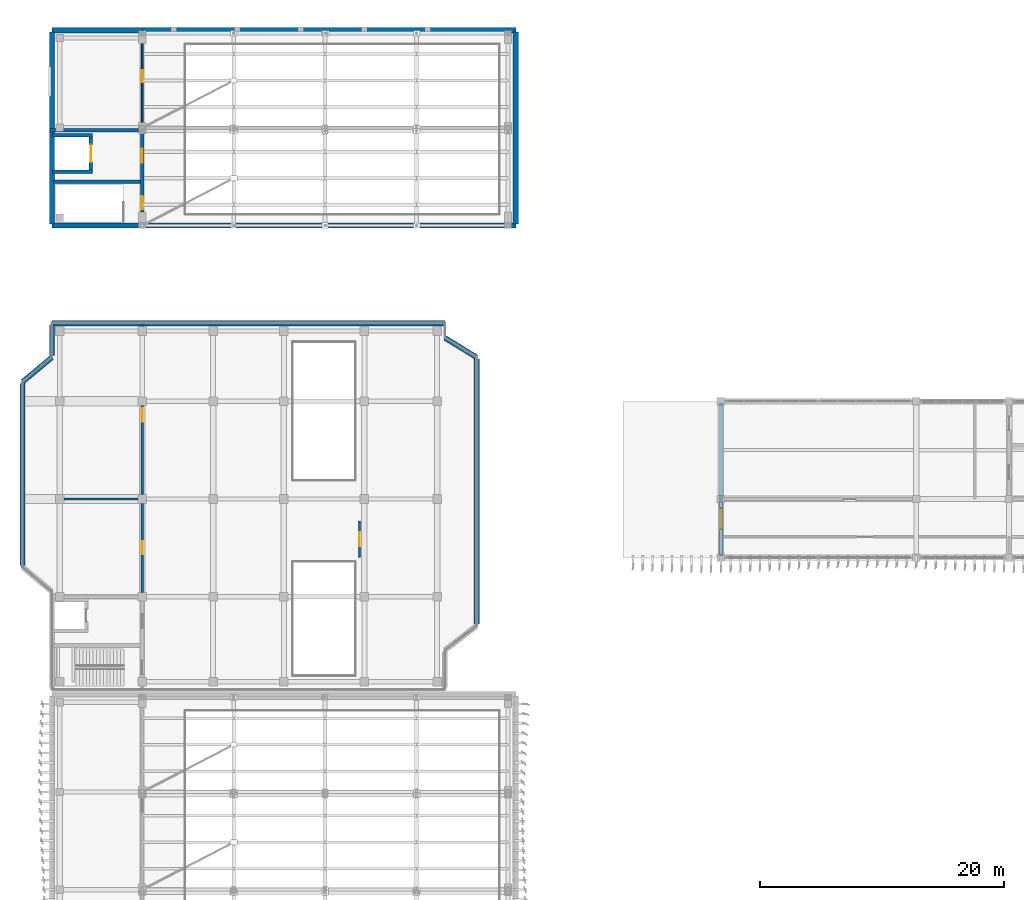
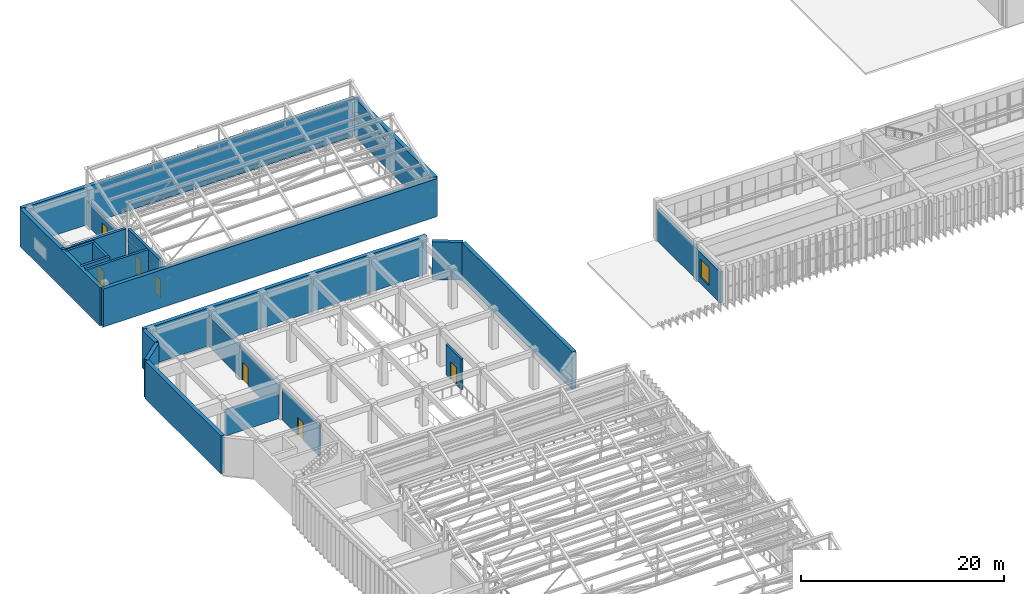
# One storey, part 53 of 76: 22 walls, 7 doors, 1 window, 8 openings.
"""IFC4 building model written with IfcOpenShell, lengths in metres."""

from ifc_helpers import new_model, si_unit, direction, frame, frame_2d, origin, place, context, subcontext, project, spatial, rectangle, extrude, material, layer, layer_set, type_object, element, fill, save


model = new_model("IFC4")

# Units and contexts
model_context = context("Model", 3, precision=1e-05, world=origin(), true_north=direction((0.0, 1.0)))
body_context = subcontext(model_context, "Body", "Model", "MODEL_VIEW")
ifc_project = project(units=[si_unit("LENGTHUNIT", "METRE"), si_unit("AREAUNIT", "SQUARE_METRE"), si_unit("VOLUMEUNIT", "CUBIC_METRE"), si_unit("PLANEANGLEUNIT", "RADIAN"), si_unit("MASSUNIT", "GRAM", prefix="KILO")], contexts=[model_context])

# Site, building, storey
site_placement = place(None, origin())
site = spatial("IfcSite", under=ifc_project, at=site_placement, CompositionType="ELEMENT")
building_placement = place(site_placement, origin())
building = spatial("IfcBuilding", under=site, at=building_placement, Name="Cinchona Park Media Centre", CompositionType="ELEMENT")
storey_placement = place(building_placement, frame((0.0, 0.0, 15.60009765625)))
storey = spatial("IfcBuildingStorey", under=building, at=storey_placement, Name="L03", CompositionType="ELEMENT", Elevation=15.60009765625)

# Walls
ifc_material_1 = material(Name="Precast concrete C40/50", Category="concrete")
ifc_layer_1 = layer(ifc_material_1, 0.425048828125)
ifc_layer_set_1 = layer_set([ifc_layer_1], Name="Precast concrete C40/50")
wall_type_1 = type_object("IfcWallType", Name="WALL-W-AC01", PredefinedType="SOLIDWALL", material=ifc_layer_set_1)
wall_1_placement = place(storey_placement, frame((8.0, 118.0, 0.0), z_axis=(0.0, 0.0, 1.0), x_axis=(1.0, 0.0, 0.0)))
element("IfcWall", 1, at=wall_1_placement, inside=storey, type_object=wall_type_1, Name="Exterior Wall W-AC01 V2 L03", PredefinedType="SOLIDWALL", context=body_context, shape_type="SweptSolid", body=[
    extrude(rectangle(XDim=38.0, YDim=0.425048828125, at=frame_2d((19.0, 0.0))), origin(), (0.0, 0.0, 1.0), 4.554931640625),
])
wall_2_placement = place(storey_placement, frame((46.0, 117.860107421875, 0.0), z_axis=(0.0, 0.0, 1.0), x_axis=(0.0, -1.0, 0.0)))
element("IfcWall", 2, at=wall_2_placement, inside=storey, type_object=wall_type_1, Name="Exterior Wall W-AC01 V2 L03", PredefinedType="SOLIDWALL", context=body_context, shape_type="SweptSolid", body=[
    extrude(rectangle(XDim=15.72021484375, YDim=0.425048828125, at=frame_2d((7.860107421875, 0.0))), origin(), (0.0, 0.0, 1.0), 4.554931640625),
])
wall_3_placement = place(storey_placement, frame((46.0, 102.0, 0.0), z_axis=(0.0, 0.0, 1.0), x_axis=(-1.0, 0.0, 0.0)))
element("IfcWall", 3, at=wall_3_placement, inside=storey, type_object=wall_type_1, Name="Exterior Wall W-AC01 V2 L03", PredefinedType="SOLIDWALL", context=body_context, shape_type="SweptSolid", body=[
    extrude(rectangle(XDim=38.0, YDim=0.425048828125, at=frame_2d((19.0, 0.0))), origin(), (0.0, 0.0, 1.0), 4.554931640625),
])
wall_4_placement = place(storey_placement, frame((8.0, 102.139892578125, 0.0), z_axis=(0.0, 0.0, 1.0), x_axis=(0.0, 1.0, 0.0)))
element("IfcWall", 4, at=wall_4_placement, inside=storey, type_object=wall_type_1, Name="Exterior Wall W-AC01 V2 L03", PredefinedType="SOLIDWALL", context=body_context, shape_type="SweptSolid", body=[
    extrude(rectangle(XDim=15.72021484375, YDim=0.425048828125, at=frame_2d((7.860107421875, 0.0))), origin(), (0.0, 0.0, 1.0), 4.554931640625),
])
wall_5_placement = place(storey_placement, frame((5.60009765625, 74.139892578125, 0.0), z_axis=(0.0, 0.0, 1.0), x_axis=(0.0, 1.0, 0.0)))
element("IfcWall", 5, at=wall_5_placement, inside=storey, type_object=wall_type_1, Name="Exterior Wall W-AC01 V4 L03", PredefinedType="SOLIDWALL", context=body_context, shape_type="SweptSolid", body=[
    extrude(rectangle(XDim=14.920166015625, YDim=0.425048828125, at=frame_2d((7.4599609375, 0.0))), origin(), (0.0, 0.0, 1.0), 4.5498046875),
])
wall_6_placement = place(storey_placement, frame((5.60009765625, 89.199951171875, 0.0), z_axis=(0.0, 0.0, 1.0), x_axis=(0.768208468069, 0.640199773186, 0.0)))
element("IfcWall", 6, at=wall_6_placement, inside=storey, type_object=wall_type_1, Name="Exterior Wall W-AC01 V4 L03", PredefinedType="SOLIDWALL", context=body_context, shape_type="SweptSolid", body=[
    extrude(rectangle(XDim=3.1240234375, YDim=0.425048828125, at=frame_2d((1.56201171875, 0.0))), origin(), (0.0, 0.0, 1.0), 4.5498046875),
])
wall_7_placement = place(storey_placement, frame((8.0, 91.340087890625, 0.0), z_axis=(0.0, 0.0, 1.0), x_axis=(0.0, 1.0, 0.0)))
element("IfcWall", 7, at=wall_7_placement, inside=storey, type_object=wall_type_1, Name="Exterior Wall W-AC01 V4 L03", PredefinedType="SOLIDWALL", context=body_context, shape_type="SweptSolid", body=[
    extrude(rectangle(XDim=2.52001953125, YDim=0.425048828125, at=frame_2d((1.260009765625, 0.0))), origin(), (0.0, 0.0, 1.0), 4.5498046875),
])
wall_8_placement = place(storey_placement, frame((8.0, 94.0, 0.0), z_axis=(0.0, 0.0, 1.0), x_axis=(1.0, 0.0, 0.0)))
element("IfcWall", 8, at=wall_8_placement, inside=storey, type_object=wall_type_1, Name="Exterior Wall W-AC01 V4 L03", PredefinedType="SOLIDWALL", context=body_context, shape_type="SweptSolid", body=[
    extrude(rectangle(XDim=32.199951171875, YDim=0.425048828125, at=frame_2d((16.10009765625, 0.0))), origin(), (0.0, 0.0, 1.0), 4.5498046875),
])
wall_9_placement = place(storey_placement, frame((40.199951171875, 92.800048828125, 0.0), z_axis=(0.0, 0.0, 1.0), x_axis=(0.851652825334, -0.524106349037, 0.0)))
element("IfcWall", 9, at=wall_9_placement, inside=storey, type_object=wall_type_1, Name="Exterior Wall W-AC01 V4 L03", PredefinedType="SOLIDWALL", context=body_context, shape_type="SweptSolid", body=[
    extrude(rectangle(XDim=3.052978515625, YDim=0.425048828125, at=frame_2d((1.5263671875, 0.0))), origin(), (0.0, 0.0, 1.0), 4.5498046875),
])
wall_10_placement = place(storey_placement, frame((42.800048828125, 91.06005859375, 0.0), z_axis=(0.0, 0.0, 1.0), x_axis=(0.0, -1.0, 0.0)))
element("IfcWall", 10, at=wall_10_placement, inside=storey, type_object=wall_type_1, Name="Exterior Wall W-AC01 V4 L03", PredefinedType="SOLIDWALL", context=body_context, shape_type="SweptSolid", body=[
    extrude(rectangle(XDim=21.719970703125, YDim=0.425048828125, at=frame_2d((10.85986328125, 0.0))), origin(), (0.0, 0.0, 1.0), 4.5498046875),
])

# Wall, opening, door
ifc_material_2 = material(Name="Acoustic Double-Stud Gypsum Partition", Category="gypsum")
ifc_layer_2 = layer(ifc_material_2, 0.2099609375)
ifc_layer_set_2 = layer_set([ifc_layer_2], Name="Acoustic Double-Stud Gypsum Partition")
wall_type_2 = type_object("IfcWallType", Name="WALL-W-AC210", PredefinedType="PARTITIONING", material=ifc_layer_set_2)
wall_11_placement = place(storey_placement, frame((15.39990234375, 79.951904296875, 0.0), z_axis=(0.0, 0.0, 1.0), x_axis=(0.0, 1.0, 0.0)))
wall_11 = element("IfcWall", 11, at=wall_11_placement, inside=storey, type_object=wall_type_2, Name="Interior Wall W-AC210 L03", PredefinedType="PARTITIONING", context=body_context, shape_type="SweptSolid", body=[
    extrude(rectangle(XDim=14.048095703125, YDim=0.2099609375, at=frame_2d((7.02392578125, 0.0))), origin(), (0.0, 0.0, 1.0), 3.699951171875),
])
opening_1_placement = place(wall_11_placement, frame((5.97998046875, 0.0, 0.0)))
opening_1 = element("IfcOpeningElement", 12, at=opening_1_placement, cuts=wall_11, Name="Opening D310", PredefinedType="OPENING", context=body_context, shape_type="SweptSolid", body=[
    extrude(rectangle(XDim=1.1201171875, YDim=2.14990234375, at=frame_2d((0.56005859375, 1.074951171875))), frame((0.0, 0.114990234375, 0.0), z_axis=(0.0, -1.0, 0.0), x_axis=(1.0, 0.0, 0.0)), (0.0, 0.0, 1.0), 0.22998046875),
])
ifc_material_3 = material(Name="Fire-Rated Acoustic Timber-Steel Door", Category="steel")
door_type_1 = type_object("IfcDoorType", Name="DOOR-DT08", OperationType="NOTDEFINED", PredefinedType="DOOR", material=ifc_material_3)
door_1_placement = place(opening_1_placement, origin())
door_1 = element("IfcDoor", 13, at=door_1_placement, inside=storey, type_object=door_type_1, Name="Interior Door D310", OperationType="SINGLE_SWING_RIGHT", OverallHeight=2.14990234375, OverallWidth=1.1201171875, PredefinedType="DOOR", context=body_context, shape_type="SweptSolid", body=[
    extrude(rectangle(XDim=1.1201171875, YDim=2.14990234375, at=frame_2d((0.56005859375, 1.074951171875))), frame((0.0, 0.02490234375, 0.0), z_axis=(0.0, -1.0, 0.0), x_axis=(1.0, 0.0, 0.0)), (0.0, 0.0, 1.0), 0.050048828125),
])
fill(opening_1, door_1)

ifc_material_4 = material(Name="Acoustic Double-Stud Gypsum Partition", Category="gypsum")
ifc_layer_3 = layer(ifc_material_4, 0.239990234375)
ifc_layer_set_3 = layer_set([ifc_layer_3], Name="Acoustic Double-Stud Gypsum Partition")
wall_type_3 = type_object("IfcWallType", Name="WALL-W-AC240", PredefinedType="PARTITIONING", material=ifc_layer_set_3)
wall_12_placement = place(storey_placement, frame((15.39990234375, 71.951904296875, 0.0), z_axis=(0.0, 0.0, 1.0), x_axis=(0.0, 1.0, 0.0)))
wall_12 = element("IfcWall", 14, at=wall_12_placement, inside=storey, type_object=wall_type_3, Name="Interior Wall W-AC240 L03", PredefinedType="PARTITIONING", context=body_context, shape_type="SweptSolid", body=[
    extrude(rectangle(XDim=7.296142578125, YDim=0.239990234375, at=frame_2d((3.64794921875, 0.0))), origin(), (0.0, 0.0, 1.0), 3.699951171875),
])
opening_2_placement = place(wall_12_placement, frame((3.10791015625, 0.0, 0.0)))
opening_2 = element("IfcOpeningElement", 15, at=opening_2_placement, cuts=wall_12, Name="Opening D309", PredefinedType="OPENING", context=body_context, shape_type="SweptSolid", body=[
    extrude(rectangle(XDim=1.080078125, YDim=2.14990234375, at=frame_2d((0.5400390625, 1.074951171875))), frame((0.0, 0.1298828125, 0.0), z_axis=(0.0, -1.0, 0.0), x_axis=(1.0, 0.0, 0.0)), (0.0, 0.0, 1.0), 0.260009765625),
])
ifc_material_5 = material(Name="Fire-Rated Acoustic Timber-Steel Door", Category="steel")
door_type_2 = type_object("IfcDoorType", Name="DOOR-DT07", OperationType="NOTDEFINED", PredefinedType="DOOR", material=ifc_material_5)
door_2_placement = place(opening_2_placement, origin())
door_2 = element("IfcDoor", 16, at=door_2_placement, inside=storey, type_object=door_type_2, Name="Interior Door D309", OperationType="SINGLE_SWING_LEFT", OverallHeight=2.14990234375, OverallWidth=1.080078125, PredefinedType="DOOR", context=body_context, shape_type="SweptSolid", body=[
    extrude(rectangle(XDim=1.080078125, YDim=2.14990234375, at=frame_2d((0.5400390625, 1.074951171875))), frame((0.0, 0.02490234375, 0.0), z_axis=(0.0, -1.0, 0.0), x_axis=(1.0, 0.0, 0.0)), (0.0, 0.0, 1.0), 0.050048828125),
])
fill(opening_2, door_2)

# Wall, opening, window
ifc_material_6 = material(Name="Precast concrete C40/50", Category="concrete")
ifc_layer_4 = layer(ifc_material_6, 0.320068359375)
ifc_layer_set_4 = layer_set([ifc_layer_4], Name="Precast concrete C40/50")
wall_type_4 = type_object("IfcWallType", Name="WALL-W-EX02", PredefinedType="SOLIDWALL", material=ifc_layer_set_4)
wall_13_placement = place(storey_placement, frame((62.800048828125, 74.93994140625, 0.0), z_axis=(0.0, 0.0, 1.0), x_axis=(0.0, 1.0, 0.0)))
wall_13 = element("IfcWall", 17, at=wall_13_placement, inside=storey, type_object=wall_type_4, Name="Exterior Wall W-EX02 V5 L03", PredefinedType="SOLIDWALL", context=body_context, shape_type="SweptSolid", body=[
    extrude(rectangle(XDim=12.52001953125, YDim=0.320068359375, at=frame_2d((6.260009765625, 0.0))), origin(), (0.0, 0.0, 1.0), 3.72998046875),
])
opening_3_placement = place(wall_13_placement, frame((2.199951171875, 0.0, 0.800048828125)))
opening_3 = element("IfcOpeningElement", 18, at=opening_3_placement, cuts=wall_13, Name="Opening WN04", PredefinedType="OPENING", context=body_context, shape_type="SweptSolid", body=[
    extrude(rectangle(XDim=1.699951171875, YDim=2.14990234375, at=frame_2d((0.85009765625, 1.074951171875))), frame((0.0, 0.169921875, 0.0), z_axis=(0.0, -1.0, 0.0), x_axis=(1.0, 0.0, 0.0)), (0.0, 0.0, 1.0), 0.340087890625),
])
ifc_material_7 = material(Name="Thermally Broken Aluminium Solar-Control Window", Category="aluminium")
window_type = type_object("IfcWindowType", Name="WIN-WN04", PartitioningType="SINGLE_PANEL", PredefinedType="WINDOW", material=ifc_material_7)
window_placement = place(opening_3_placement, origin())
window = element("IfcWindow", 19, at=window_placement, inside=storey, type_object=window_type, Name="Window WN04 L03", OverallHeight=2.14990234375, OverallWidth=1.699951171875, PartitioningType="SINGLE_PANEL", PredefinedType="WINDOW", context=body_context, shape_type="SweptSolid", body=[
    extrude(rectangle(XDim=1.699951171875, YDim=2.14990234375, at=frame_2d((0.85009765625, 1.074951171875))), frame((0.0, 0.030029296875, 0.0), z_axis=(0.0, -1.0, 0.0), x_axis=(1.0, 0.0, 0.0)), (0.0, 0.0, 1.0), 0.06005859375),
])
fill(opening_3, window)

# Wall, opening, door
ifc_material_8 = material(Name="Fire-Rated Gypsum Stud Partition", Category="gypsum")
ifc_layer_5 = layer(ifc_material_8, 0.14990234375)
ifc_layer_set_5 = layer_set([ifc_layer_5], Name="Fire-Rated Gypsum Stud Partition")
wall_type_5 = type_object("IfcWallType", Name="WALL-W-PT150", PredefinedType="PARTITIONING", material=ifc_layer_set_5)
wall_14_placement = place(storey_placement, frame((15.39990234375, 110.451904296875, 0.0), z_axis=(0.0, 0.0, 1.0), x_axis=(0.0, 1.0, 0.0)))
wall_14 = element("IfcWall", 20, at=wall_14_placement, inside=storey, type_object=wall_type_5, Name="Interior Wall W-PT150 L03", PredefinedType="PARTITIONING", context=body_context, shape_type="SweptSolid", body=[
    extrude(rectangle(XDim=7.548095703125, YDim=0.14990234375, at=frame_2d((3.77392578125, 0.0))), origin(), (0.0, 0.0, 1.0), 2.8818359375),
])
opening_4_placement = place(wall_14_placement, frame((3.27392578125, 0.0, 0.0)))
opening_4 = element("IfcOpeningElement", 21, at=opening_4_placement, cuts=wall_14, Name="Opening D308", PredefinedType="OPENING", context=body_context, shape_type="SweptSolid", body=[
    extrude(rectangle(XDim=1.0, YDim=2.10009765625, at=frame_2d((0.5, 1.050048828125))), frame((0.0, 0.0849609375, 0.0), z_axis=(0.0, -1.0, 0.0), x_axis=(1.0, 0.0, 0.0)), (0.0, 0.0, 1.0), 0.169921875),
])
ifc_material_9 = material(Name="Fire-Rated Acoustic Timber-Steel Door", Category="steel")
door_type_3 = type_object("IfcDoorType", Name="DOOR-DT04", OperationType="NOTDEFINED", PredefinedType="DOOR", material=ifc_material_9)
door_3_placement = place(opening_4_placement, origin())
door_3 = element("IfcDoor", 22, at=door_3_placement, inside=storey, type_object=door_type_3, Name="Interior Door D308", OperationType="SINGLE_SWING_RIGHT", OverallHeight=2.10009765625, OverallWidth=1.0, PredefinedType="DOOR", context=body_context, shape_type="SweptSolid", body=[
    extrude(rectangle(XDim=1.0, YDim=2.10009765625, at=frame_2d((0.5, 1.050048828125))), frame((0.0, 0.02490234375, 0.0), z_axis=(0.0, -1.0, 0.0), x_axis=(1.0, 0.0, 0.0)), (0.0, 0.0, 1.0), 0.050048828125),
])
fill(opening_4, door_3)

# Wall
ifc_material_10 = material(Name="Fire-Rated Gypsum Stud Partition", Category="gypsum")
ifc_layer_6 = layer(ifc_material_10, 0.1650390625)
ifc_layer_set_6 = layer_set([ifc_layer_6], Name="Fire-Rated Gypsum Stud Partition")
wall_type_6 = type_object("IfcWallType", Name="WALL-W-PT165", PredefinedType="PARTITIONING", material=ifc_layer_set_6)
wall_15_placement = place(storey_placement, frame((8.991943359375, 79.60009765625, 0.0), z_axis=(0.0, 0.0, 1.0), x_axis=(1.0, 0.0, 0.0)))
element("IfcWall", 23, at=wall_15_placement, inside=storey, type_object=wall_type_6, Name="Interior Wall W-PT165 L03", PredefinedType="PARTITIONING", context=body_context, shape_type="SweptSolid", body=[
    extrude(rectangle(XDim=6.05615234375, YDim=0.1650390625, at=frame_2d((3.028076171875, 0.0))), origin(), (0.0, 0.0, 1.0), 3.164794921875),
])

# Wall, opening, door
ifc_material_11 = material(Name="Fire-Rated Gypsum Stud Partition", Category="gypsum")
ifc_layer_7 = layer(ifc_material_11, 0.18994140625)
ifc_layer_set_7 = layer_set([ifc_layer_7], Name="Fire-Rated Gypsum Stud Partition")
wall_type_7 = type_object("IfcWallType", Name="WALL-W-PT190", PredefinedType="PARTITIONING", material=ifc_layer_set_7)
wall_16_placement = place(storey_placement, frame((33.199951171875, 77.800048828125, 0.0), z_axis=(0.0, 0.0, 1.0), x_axis=(0.0, -1.0, 0.0)))
wall_16 = element("IfcWall", 24, at=wall_16_placement, inside=storey, type_object=wall_type_7, Name="Interior Wall W-PT190 L03", PredefinedType="PARTITIONING", context=body_context, shape_type="SweptSolid", body=[
    extrude(rectangle(XDim=3.0, YDim=0.18994140625, at=frame_2d((1.5, 0.0))), origin(), (0.0, 0.0, 1.0), 3.699951171875),
])
opening_5_placement = place(wall_16_placement, frame((0.909912109375, 0.0, 0.0)))
opening_5 = element("IfcOpeningElement", 25, at=opening_5_placement, cuts=wall_16, Name="Opening D311", PredefinedType="OPENING", context=body_context, shape_type="SweptSolid", body=[
    extrude(rectangle(XDim=1.179931640625, YDim=2.14990234375, at=frame_2d((0.58984375, 1.074951171875))), frame((0.0, 0.10498046875, 0.0), z_axis=(0.0, -1.0, 0.0), x_axis=(1.0, 0.0, 0.0)), (0.0, 0.0, 1.0), 0.2099609375),
])
ifc_material_12 = material(Name="Fire-Rated Acoustic Timber-Steel Door", Category="steel")
door_type_4 = type_object("IfcDoorType", Name="DOOR-DT09", OperationType="NOTDEFINED", PredefinedType="DOOR", material=ifc_material_12)
door_4_placement = place(opening_5_placement, origin())
door_4 = element("IfcDoor", 26, at=door_4_placement, inside=storey, type_object=door_type_4, Name="Interior Door D311", OperationType="SINGLE_SWING_LEFT", OverallHeight=2.14990234375, OverallWidth=1.179931640625, PredefinedType="DOOR", context=body_context, shape_type="SweptSolid", body=[
    extrude(rectangle(XDim=1.179931640625, YDim=2.14990234375, at=frame_2d((0.58984375, 1.074951171875))), frame((0.0, 0.02490234375, 0.0), z_axis=(0.0, -1.0, 0.0), x_axis=(1.0, 0.0, 0.0)), (0.0, 0.0, 1.0), 0.050048828125),
])
fill(opening_5, door_4)

# Wall
ifc_material_13 = material(Name="Concrete C40/50", Category="concrete")
ifc_layer_8 = layer(ifc_material_13, 0.2900390625)
ifc_layer_set_8 = layer_set([ifc_layer_8], Name="Concrete C40/50")
wall_type_8 = type_object("IfcWallType", Name="WALL-W-SH290", PredefinedType="SHEAR", material=ifc_layer_set_8)
wall_17_placement = place(storey_placement, frame((7.85498046875, 109.800048828125, 0.0), z_axis=(0.0, 0.0, 1.0), x_axis=(1.0, 0.0, 0.0)))
element("IfcWall", 27, at=wall_17_placement, inside=storey, type_object=wall_type_8, Name="Core Shear Wall W-SH290 L03", PredefinedType="SHEAR", context=body_context, shape_type="SweptSolid", body=[
    extrude(rectangle(XDim=7.242919921875, YDim=0.2900390625, at=frame_2d((3.62158203125, 0.0))), origin(), (0.0, 0.0, 1.0), 4.554931640625),
])

# Wall, openings, doors
wall_18_placement = place(storey_placement, frame((15.39990234375, 103.092041015625, 0.0), z_axis=(0.0, 0.0, 1.0), x_axis=(0.0, 1.0, 0.0)))
wall_18 = element("IfcWall", 28, at=wall_18_placement, inside=storey, type_object=wall_type_8, Name="Core Shear Wall W-SH290 L03", PredefinedType="SHEAR", context=body_context, shape_type="SweptSolid", body=[
    extrude(rectangle(XDim=6.4560546875, YDim=0.2900390625, at=frame_2d((3.22802734375, 0.0))), origin(), (0.0, 0.0, 1.0), 4.554931640625),
])
opening_6_placement = place(wall_18_placement, frame((0.219970703125, 0.0, 0.0)))
opening_6 = element("IfcOpeningElement", 29, at=opening_6_placement, cuts=wall_18, Name="Opening D098", PredefinedType="OPENING", context=body_context, shape_type="SweptSolid", body=[
    extrude(rectangle(XDim=1.10009765625, YDim=2.14990234375, at=frame_2d((0.550048828125, 1.074951171875))), frame((0.0, 0.155029296875, 0.0), z_axis=(0.0, -1.0, 0.0), x_axis=(1.0, 0.0, 0.0)), (0.0, 0.0, 1.0), 0.31005859375),
])
opening_7_placement = place(wall_18_placement, frame((4.032958984375, 0.0, 0.0)))
opening_7 = element("IfcOpeningElement", 30, at=opening_7_placement, cuts=wall_18, Name="Opening D099", PredefinedType="OPENING", context=body_context, shape_type="SweptSolid", body=[
    extrude(rectangle(XDim=1.14990234375, YDim=2.199951171875, at=frame_2d((0.574951171875, 1.10009765625))), frame((0.0, 0.155029296875, 0.0), z_axis=(0.0, -1.0, 0.0), x_axis=(1.0, 0.0, 0.0)), (0.0, 0.0, 1.0), 0.31005859375),
])
ifc_material_14 = material(Name="Insulated Fire-Rated Steel Door", Category="steel")
door_type_5 = type_object("IfcDoorType", Name="DOOR-DT-FF", OperationType="NOTDEFINED", PredefinedType="DOOR", material=ifc_material_14)
door_5_placement = place(opening_7_placement, origin())
door_5 = element("IfcDoor", 31, at=door_5_placement, inside=storey, type_object=door_type_5, Name="Interior Door D099", OperationType="SINGLE_SWING_LEFT", OverallHeight=2.199951171875, OverallWidth=1.14990234375, PredefinedType="DOOR", context=body_context, shape_type="SweptSolid", body=[
    extrude(rectangle(XDim=1.14990234375, YDim=2.199951171875, at=frame_2d((0.574951171875, 1.10009765625))), frame((0.0, 0.02490234375, 0.0), z_axis=(0.0, -1.0, 0.0), x_axis=(1.0, 0.0, 0.0)), (0.0, 0.0, 1.0), 0.050048828125),
])
fill(opening_7, door_5)
ifc_material_15 = material(Name="Insulated Fire-Rated Steel Door", Category="steel")
door_type_6 = type_object("IfcDoorType", Name="DOOR-DT-ST", OperationType="NOTDEFINED", PredefinedType="DOOR", material=ifc_material_15)
door_6_placement = place(opening_6_placement, origin())
door_6 = element("IfcDoor", 32, at=door_6_placement, inside=storey, type_object=door_type_6, Name="Interior Door D098", OperationType="SINGLE_SWING_RIGHT", OverallHeight=2.14990234375, OverallWidth=1.10009765625, PredefinedType="DOOR", context=body_context, shape_type="SweptSolid", body=[
    extrude(rectangle(XDim=1.10009765625, YDim=2.14990234375, at=frame_2d((0.550048828125, 1.074951171875))), frame((0.0, 0.02490234375, 0.0), z_axis=(0.0, -1.0, 0.0), x_axis=(1.0, 0.0, 0.0)), (0.0, 0.0, 1.0), 0.050048828125),
])
fill(opening_6, door_6)

# Walls
wall_19_placement = place(storey_placement, frame((8.14501953125, 105.60009765625, 0.0), z_axis=(0.0, 0.0, 1.0), x_axis=(1.0, 0.0, 0.0)))
element("IfcWall", 33, at=wall_19_placement, inside=storey, type_object=wall_type_8, Name="Core Shear Wall W-SH290 L03", PredefinedType="SHEAR", context=body_context, shape_type="SweptSolid", body=[
    extrude(rectangle(XDim=7.10986328125, YDim=0.2900390625, at=frame_2d((3.554931640625, 0.0))), origin(), (0.0, 0.0, 1.0), 4.554931640625),
])
for number, where, z_axis, x_axis, name in (
    (34, (8.054931640625, 106.39990234375, 0.0), (0.0, 0.0, 1.0), (1.0, 0.0, 0.0), "Core Shear Wall W-SH290 L03"),
    (35, (8.054931640625, 109.39990234375, 0.0), (0.0, 0.0, 1.0), (1.0, 0.0, 0.0), "Core Shear Wall W-SH290 L03"),
):
    element("IfcWall", number, at=place(storey_placement, frame(where, z_axis=z_axis, x_axis=x_axis)), inside=storey, type_object=wall_type_8, Name=name, PredefinedType="SHEAR", context=body_context, shape_type="SweptSolid", body=[
        extrude(rectangle(XDim=3.2900390625, YDim=0.2900390625, at=frame_2d((1.64501953125, 0.0))), origin(), (0.0, 0.0, 1.0), 4.554931640625),
    ])

# Wall, opening, door
wall_20_placement = place(storey_placement, frame((11.199951171875, 106.544921875, 0.0), z_axis=(0.0, 0.0, 1.0), x_axis=(0.0, 1.0, 0.0)))
wall_20 = element("IfcWall", 36, at=wall_20_placement, inside=storey, type_object=wall_type_8, Name="Core Shear Wall W-SH290 L03", PredefinedType="SHEAR", context=body_context, shape_type="SweptSolid", body=[
    extrude(rectangle(XDim=2.7099609375, YDim=0.2900390625, at=frame_2d((1.35498046875, 0.0))), origin(), (0.0, 0.0, 1.0), 4.554931640625),
])
opening_8_placement = place(wall_20_placement, frame((0.655029296875, 0.0, 0.0)))
opening_8 = element("IfcOpeningElement", 37, at=opening_8_placement, cuts=wall_20, Name="Opening LD32", PredefinedType="OPENING", context=body_context, shape_type="SweptSolid", body=[
    extrude(rectangle(XDim=1.39990234375, YDim=2.25, at=frame_2d((0.699951171875, 1.125))), frame((0.0, 0.155029296875, 0.0), z_axis=(0.0, -1.0, 0.0), x_axis=(1.0, 0.0, 0.0)), (0.0, 0.0, 1.0), 0.31005859375),
])
ifc_material_16 = material(Name="Stainless Steel Sliding Lift Landing Door", Category="steel")
door_type_7 = type_object("IfcDoorType", Name="DOOR-DT-LD3", OperationType="NOTDEFINED", PredefinedType="DOOR", material=ifc_material_16)
door_7_placement = place(opening_8_placement, origin())
door_7 = element("IfcDoor", 38, at=door_7_placement, inside=storey, type_object=door_type_7, Name="Lift Landing Door LD32", OperationType="SLIDING_TO_LEFT", OverallHeight=2.25, OverallWidth=1.39990234375, PredefinedType="DOOR", context=body_context, shape_type="SweptSolid", body=[
    extrude(rectangle(XDim=1.39990234375, YDim=2.25, at=frame_2d((0.699951171875, 1.125))), frame((0.0, 0.02490234375, 0.0), z_axis=(0.0, -1.0, 0.0), x_axis=(1.0, 0.0, 0.0)), (0.0, 0.0, 1.0), 0.050048828125),
])
fill(opening_8, door_7)

save(model, "model.ifc")
